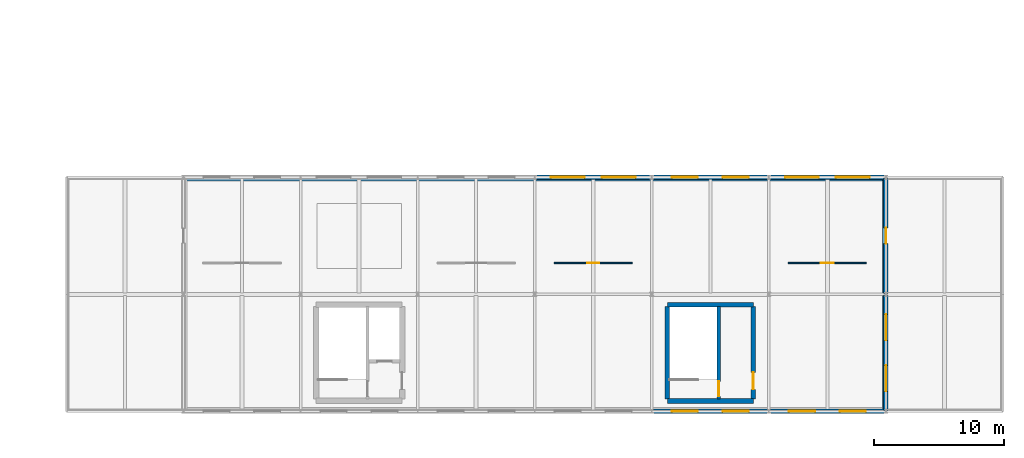
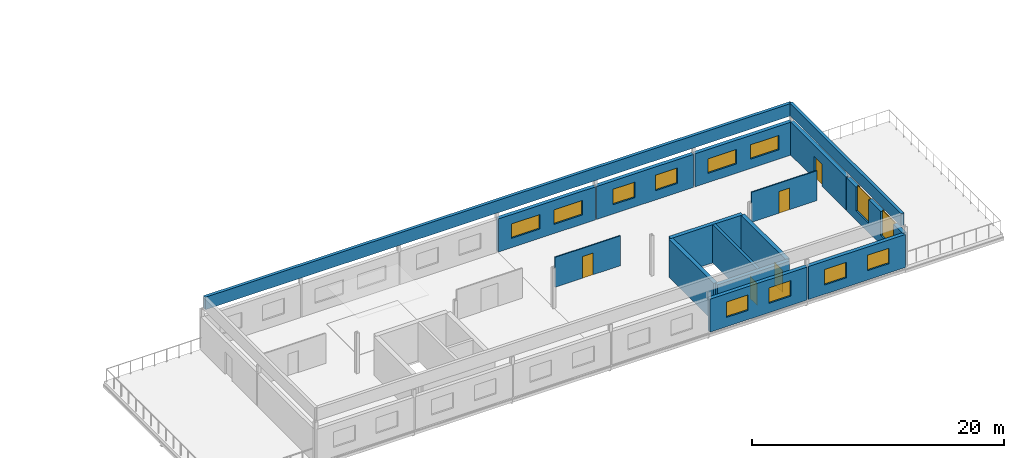
# One storey, part 13 of 18: 16 walls, 12 windows, 5 doors, 17 openings.
"""IFC4 building model written with IfcOpenShell, lengths in metres."""

from ifc_helpers import new_model, si_unit, direction, frame, frame_2d, origin, place, context, subcontext, project, spatial, rectangle, extrude, material, layer, layer_set, type_object, element, fill, save


model = new_model("IFC4")

# Units and contexts
model_context = context("Model", 3, precision=1e-05, world=origin(), true_north=direction((0.0, 1.0)))
body_context = subcontext(model_context, "Body", "Model", "MODEL_VIEW")
ifc_project = project(units=[si_unit("LENGTHUNIT", "METRE"), si_unit("AREAUNIT", "SQUARE_METRE"), si_unit("VOLUMEUNIT", "CUBIC_METRE"), si_unit("PLANEANGLEUNIT", "RADIAN"), si_unit("MASSUNIT", "GRAM", prefix="KILO")], contexts=[model_context])

# Site, building, storey
site_placement = place(None, origin())
site = spatial("IfcSite", under=ifc_project, at=site_placement, CompositionType="ELEMENT")
building_placement = place(site_placement, origin())
building = spatial("IfcBuilding", under=site, at=building_placement, Name="Kildeholm Park Wholesale Market", CompositionType="ELEMENT")
storey_placement = place(building_placement, frame((0.0, 0.0, 13.5)))
storey = spatial("IfcBuildingStorey", under=building, at=storey_placement, Name="L03", CompositionType="ELEMENT", Elevation=13.5)

# Wall, openings, windows
ifc_material_1 = material(Name="Precast concrete C40/50 architectural rainscreen wall", Category="concrete")
ifc_layer_1 = layer(ifc_material_1, 0.340087890625)
ifc_layer_set_1 = layer_set([ifc_layer_1], Name="Precast concrete C40/50 architectural rainscreen wall")
wall_type_1 = type_object("IfcWallType", Name="Exterior wall W-EX4 340 mm", PredefinedType="SOLIDWALL", material=ifc_layer_set_1)
wall_1_placement = place(storey_placement, frame((171.06005859375, 0.0, 0.0), z_axis=(0.0, 0.0, 1.0), x_axis=(1.0, 0.0, 0.0)))
wall_1 = element("IfcWall", 1, at=wall_1_placement, inside=storey, type_object=wall_type_1, Name="Exterior wall V5E-L03-S05.1 WL-0631", PredefinedType="SOLIDWALL", context=body_context, shape_type="SweptSolid", body=[
    extrude(rectangle(XDim=8.8798828125, YDim=0.340087890625, at=frame_2d((4.43994140625, 0.0))), origin(), (0.0, 0.0, 1.0), 3.199951171875),
])
opening_1_placement = place(wall_1_placement, frame((1.486083984375, 0.0, 0.89990234375)))
opening_1 = element("IfcOpeningElement", 2, at=opening_1_placement, cuts=wall_1, Name="Opening WN-12", PredefinedType="OPENING", context=body_context, shape_type="SweptSolid", body=[
    extrude(rectangle(XDim=2.0, YDim=1.5, at=frame_2d((1.0, 0.75))), frame((0.0, 0.179931640625, 0.0), z_axis=(0.0, -1.0, 0.0), x_axis=(1.0, 0.0, 0.0)), (0.0, 0.0, 1.0), 0.360107421875),
])
opening_2_placement = place(wall_1_placement, frame((5.39404296875, 0.0, 0.89990234375)))
opening_2 = element("IfcOpeningElement", 3, at=opening_2_placement, cuts=wall_1, Name="Opening WN-12", PredefinedType="OPENING", context=body_context, shape_type="SweptSolid", body=[
    extrude(rectangle(XDim=2.0, YDim=1.5, at=frame_2d((1.0, 0.75))), frame((0.0, 0.179931640625, 0.0), z_axis=(0.0, -1.0, 0.0), x_axis=(1.0, 0.0, 0.0)), (0.0, 0.0, 1.0), 0.360107421875),
])
ifc_material_2 = material(Name="Thermally broken aluminium and triple-glazed low-E glass", Category="aluminium")
window_type_1 = type_object("IfcWindowType", Name="Window WN-12 2000x1500", PartitioningType="DOUBLE_PANEL_VERTICAL", PredefinedType="WINDOW", material=ifc_material_2)
window_1_placement = place(opening_1_placement, origin())
window_1 = element("IfcWindow", 4, at=window_1_placement, inside=storey, type_object=window_type_1, Name="Window V5E-L03-S05.1.1 WIN-0448", OverallHeight=1.5, OverallWidth=2.0, PartitioningType="SINGLE_PANEL", PredefinedType="WINDOW", context=body_context, shape_type="SweptSolid", body=[
    extrude(rectangle(XDim=2.0, YDim=1.5, at=frame_2d((1.0, 0.75))), frame((0.0, 0.030029296875, 0.0), z_axis=(0.0, -1.0, 0.0), x_axis=(1.0, 0.0, 0.0)), (0.0, 0.0, 1.0), 0.06005859375),
])
fill(opening_1, window_1)
window_2_placement = place(opening_2_placement, origin())
window_2 = element("IfcWindow", 5, at=window_2_placement, inside=storey, type_object=window_type_1, Name="Window V5E-L03-S05.1.2 WIN-0449", OverallHeight=1.5, OverallWidth=2.0, PartitioningType="SINGLE_PANEL", PredefinedType="WINDOW", context=body_context, shape_type="SweptSolid", body=[
    extrude(rectangle(XDim=2.0, YDim=1.5, at=frame_2d((1.0, 0.75))), frame((0.0, 0.030029296875, 0.0), z_axis=(0.0, -1.0, 0.0), x_axis=(1.0, 0.0, 0.0)), (0.0, 0.0, 1.0), 0.06005859375),
])
fill(opening_2, window_2)

wall_2_placement = place(storey_placement, frame((180.06005859375, 0.0, 0.0), z_axis=(0.0, 0.0, 1.0), x_axis=(1.0, 0.0, 0.0)))
wall_2 = element("IfcWall", 6, at=wall_2_placement, inside=storey, type_object=wall_type_1, Name="Exterior wall V5E-L03-S06.1 WL-0632", PredefinedType="SOLIDWALL", context=body_context, shape_type="SweptSolid", body=[
    extrude(rectangle(XDim=8.8798828125, YDim=0.340087890625, at=frame_2d((4.43994140625, 0.0))), origin(), (0.0, 0.0, 1.0), 3.199951171875),
])
opening_3_placement = place(wall_2_placement, frame((1.486083984375, 0.0, 0.89990234375)))
opening_3 = element("IfcOpeningElement", 7, at=opening_3_placement, cuts=wall_2, Name="Opening WN-12", PredefinedType="OPENING", context=body_context, shape_type="SweptSolid", body=[
    extrude(rectangle(XDim=2.0, YDim=1.5, at=frame_2d((1.0, 0.75))), frame((0.0, 0.179931640625, 0.0), z_axis=(0.0, -1.0, 0.0), x_axis=(1.0, 0.0, 0.0)), (0.0, 0.0, 1.0), 0.360107421875),
])
opening_4_placement = place(wall_2_placement, frame((5.39404296875, 0.0, 0.89990234375)))
opening_4 = element("IfcOpeningElement", 8, at=opening_4_placement, cuts=wall_2, Name="Opening WN-12", PredefinedType="OPENING", context=body_context, shape_type="SweptSolid", body=[
    extrude(rectangle(XDim=2.0, YDim=1.5, at=frame_2d((1.0, 0.75))), frame((0.0, 0.179931640625, 0.0), z_axis=(0.0, -1.0, 0.0), x_axis=(1.0, 0.0, 0.0)), (0.0, 0.0, 1.0), 0.360107421875),
])
window_3_placement = place(opening_3_placement, origin())
window_3 = element("IfcWindow", 9, at=window_3_placement, inside=storey, type_object=window_type_1, Name="Window V5E-L03-S06.1.1 WIN-0450", OverallHeight=1.5, OverallWidth=2.0, PartitioningType="SINGLE_PANEL", PredefinedType="WINDOW", context=body_context, shape_type="SweptSolid", body=[
    extrude(rectangle(XDim=2.0, YDim=1.5, at=frame_2d((1.0, 0.75))), frame((0.0, 0.030029296875, 0.0), z_axis=(0.0, -1.0, 0.0), x_axis=(1.0, 0.0, 0.0)), (0.0, 0.0, 1.0), 0.06005859375),
])
fill(opening_3, window_3)
window_4_placement = place(opening_4_placement, origin())
window_4 = element("IfcWindow", 10, at=window_4_placement, inside=storey, type_object=window_type_1, Name="Window V5E-L03-S06.1.2 WIN-0451", OverallHeight=1.5, OverallWidth=2.0, PartitioningType="SINGLE_PANEL", PredefinedType="WINDOW", context=body_context, shape_type="SweptSolid", body=[
    extrude(rectangle(XDim=2.0, YDim=1.5, at=frame_2d((1.0, 0.75))), frame((0.0, 0.030029296875, 0.0), z_axis=(0.0, -1.0, 0.0), x_axis=(1.0, 0.0, 0.0)), (0.0, 0.0, 1.0), 0.06005859375),
])
fill(opening_4, window_4)

wall_3_placement = place(storey_placement, frame((162.06005859375, 18.0, 0.0), z_axis=(0.0, 0.0, 1.0), x_axis=(1.0, 0.0, 0.0)))
wall_3 = element("IfcWall", 11, at=wall_3_placement, inside=storey, type_object=wall_type_1, Name="Exterior wall V5E-L03-N.4 WL-0636", PredefinedType="SOLIDWALL", context=body_context, shape_type="SweptSolid", body=[
    extrude(rectangle(XDim=8.8798828125, YDim=0.340087890625, at=frame_2d((4.43994140625, 0.0))), origin(), (0.0, 0.0, 1.0), 3.199951171875),
])
opening_5_placement = place(wall_3_placement, frame((1.18603515625, 0.0, 0.89990234375)))
opening_5 = element("IfcOpeningElement", 12, at=opening_5_placement, cuts=wall_3, Name="Opening WN-13", PredefinedType="OPENING", context=body_context, shape_type="SweptSolid", body=[
    extrude(rectangle(XDim=2.60009765625, YDim=1.39990234375, at=frame_2d((1.300048828125, 0.699951171875))), frame((0.0, 0.179931640625, 0.0), z_axis=(0.0, -1.0, 0.0), x_axis=(1.0, 0.0, 0.0)), (0.0, 0.0, 1.0), 0.360107421875),
])
opening_6_placement = place(wall_3_placement, frame((5.093994140625, 0.0, 0.89990234375)))
opening_6 = element("IfcOpeningElement", 13, at=opening_6_placement, cuts=wall_3, Name="Opening WN-13", PredefinedType="OPENING", context=body_context, shape_type="SweptSolid", body=[
    extrude(rectangle(XDim=2.60009765625, YDim=1.39990234375, at=frame_2d((1.300048828125, 0.699951171875))), frame((0.0, 0.179931640625, 0.0), z_axis=(0.0, -1.0, 0.0), x_axis=(1.0, 0.0, 0.0)), (0.0, 0.0, 1.0), 0.360107421875),
])
window_type_2 = type_object("IfcWindowType", Name="Window WN-13 2600x1400", PartitioningType="TRIPLE_PANEL_VERTICAL", PredefinedType="WINDOW", material=ifc_material_2)
window_5_placement = place(opening_5_placement, origin())
window_5 = element("IfcWindow", 14, at=window_5_placement, inside=storey, type_object=window_type_2, Name="Window V5E-L03-N.4.1 WIN-0458", OverallHeight=1.39990234375, OverallWidth=2.60009765625, PartitioningType="SINGLE_PANEL", PredefinedType="WINDOW", context=body_context, shape_type="SweptSolid", body=[
    extrude(rectangle(XDim=2.60009765625, YDim=1.39990234375, at=frame_2d((1.300048828125, 0.699951171875))), frame((0.0, 0.030029296875, 0.0), z_axis=(0.0, -1.0, 0.0), x_axis=(1.0, 0.0, 0.0)), (0.0, 0.0, 1.0), 0.06005859375),
])
fill(opening_5, window_5)
window_6_placement = place(opening_6_placement, origin())
window_6 = element("IfcWindow", 15, at=window_6_placement, inside=storey, type_object=window_type_2, Name="Window V5E-L03-N.4.2 WIN-0459", OverallHeight=1.39990234375, OverallWidth=2.60009765625, PartitioningType="SINGLE_PANEL", PredefinedType="WINDOW", context=body_context, shape_type="SweptSolid", body=[
    extrude(rectangle(XDim=2.60009765625, YDim=1.39990234375, at=frame_2d((1.300048828125, 0.699951171875))), frame((0.0, 0.030029296875, 0.0), z_axis=(0.0, -1.0, 0.0), x_axis=(1.0, 0.0, 0.0)), (0.0, 0.0, 1.0), 0.06005859375),
])
fill(opening_6, window_6)

wall_4_placement = place(storey_placement, frame((171.06005859375, 18.0, 0.0), z_axis=(0.0, 0.0, 1.0), x_axis=(1.0, 0.0, 0.0)))
wall_4 = element("IfcWall", 16, at=wall_4_placement, inside=storey, type_object=wall_type_1, Name="Exterior wall V5E-L03-N.5 WL-0637", PredefinedType="SOLIDWALL", context=body_context, shape_type="SweptSolid", body=[
    extrude(rectangle(XDim=8.8798828125, YDim=0.340087890625, at=frame_2d((4.43994140625, 0.0))), origin(), (0.0, 0.0, 1.0), 3.199951171875),
])
opening_7_placement = place(wall_4_placement, frame((1.486083984375, 0.0, 0.89990234375)))
opening_7 = element("IfcOpeningElement", 17, at=opening_7_placement, cuts=wall_4, Name="Opening WN-12", PredefinedType="OPENING", context=body_context, shape_type="SweptSolid", body=[
    extrude(rectangle(XDim=2.0, YDim=1.5, at=frame_2d((1.0, 0.75))), frame((0.0, 0.179931640625, 0.0), z_axis=(0.0, -1.0, 0.0), x_axis=(1.0, 0.0, 0.0)), (0.0, 0.0, 1.0), 0.360107421875),
])
opening_8_placement = place(wall_4_placement, frame((5.39404296875, 0.0, 0.89990234375)))
opening_8 = element("IfcOpeningElement", 18, at=opening_8_placement, cuts=wall_4, Name="Opening WN-12", PredefinedType="OPENING", context=body_context, shape_type="SweptSolid", body=[
    extrude(rectangle(XDim=2.0, YDim=1.5, at=frame_2d((1.0, 0.75))), frame((0.0, 0.179931640625, 0.0), z_axis=(0.0, -1.0, 0.0), x_axis=(1.0, 0.0, 0.0)), (0.0, 0.0, 1.0), 0.360107421875),
])
window_7_placement = place(opening_7_placement, origin())
window_7 = element("IfcWindow", 19, at=window_7_placement, inside=storey, type_object=window_type_1, Name="Window V5E-L03-N.5.1 WIN-0460", OverallHeight=1.5, OverallWidth=2.0, PartitioningType="SINGLE_PANEL", PredefinedType="WINDOW", context=body_context, shape_type="SweptSolid", body=[
    extrude(rectangle(XDim=2.0, YDim=1.5, at=frame_2d((1.0, 0.75))), frame((0.0, 0.030029296875, 0.0), z_axis=(0.0, -1.0, 0.0), x_axis=(1.0, 0.0, 0.0)), (0.0, 0.0, 1.0), 0.06005859375),
])
fill(opening_7, window_7)
window_8_placement = place(opening_8_placement, origin())
window_8 = element("IfcWindow", 20, at=window_8_placement, inside=storey, type_object=window_type_1, Name="Window V5E-L03-N.5.2 WIN-0461", OverallHeight=1.5, OverallWidth=2.0, PartitioningType="SINGLE_PANEL", PredefinedType="WINDOW", context=body_context, shape_type="SweptSolid", body=[
    extrude(rectangle(XDim=2.0, YDim=1.5, at=frame_2d((1.0, 0.75))), frame((0.0, 0.030029296875, 0.0), z_axis=(0.0, -1.0, 0.0), x_axis=(1.0, 0.0, 0.0)), (0.0, 0.0, 1.0), 0.06005859375),
])
fill(opening_8, window_8)

wall_5_placement = place(storey_placement, frame((180.06005859375, 18.0, 0.0), z_axis=(0.0, 0.0, 1.0), x_axis=(1.0, 0.0, 0.0)))
wall_5 = element("IfcWall", 21, at=wall_5_placement, inside=storey, type_object=wall_type_1, Name="Exterior wall V5E-L03-N.6 WL-0638", PredefinedType="SOLIDWALL", context=body_context, shape_type="SweptSolid", body=[
    extrude(rectangle(XDim=8.8798828125, YDim=0.340087890625, at=frame_2d((4.43994140625, 0.0))), origin(), (0.0, 0.0, 1.0), 3.199951171875),
])
opening_9_placement = place(wall_5_placement, frame((1.18603515625, 0.0, 0.89990234375)))
opening_9 = element("IfcOpeningElement", 22, at=opening_9_placement, cuts=wall_5, Name="Opening WN-13", PredefinedType="OPENING", context=body_context, shape_type="SweptSolid", body=[
    extrude(rectangle(XDim=2.60009765625, YDim=1.39990234375, at=frame_2d((1.300048828125, 0.699951171875))), frame((0.0, 0.179931640625, 0.0), z_axis=(0.0, -1.0, 0.0), x_axis=(1.0, 0.0, 0.0)), (0.0, 0.0, 1.0), 0.360107421875),
])
opening_10_placement = place(wall_5_placement, frame((5.093994140625, 0.0, 0.89990234375)))
opening_10 = element("IfcOpeningElement", 23, at=opening_10_placement, cuts=wall_5, Name="Opening WN-13", PredefinedType="OPENING", context=body_context, shape_type="SweptSolid", body=[
    extrude(rectangle(XDim=2.60009765625, YDim=1.39990234375, at=frame_2d((1.300048828125, 0.699951171875))), frame((0.0, 0.179931640625, 0.0), z_axis=(0.0, -1.0, 0.0), x_axis=(1.0, 0.0, 0.0)), (0.0, 0.0, 1.0), 0.360107421875),
])
window_9_placement = place(opening_9_placement, origin())
window_9 = element("IfcWindow", 24, at=window_9_placement, inside=storey, type_object=window_type_2, Name="Window V5E-L03-N.6.1 WIN-0462", OverallHeight=1.39990234375, OverallWidth=2.60009765625, PartitioningType="SINGLE_PANEL", PredefinedType="WINDOW", context=body_context, shape_type="SweptSolid", body=[
    extrude(rectangle(XDim=2.60009765625, YDim=1.39990234375, at=frame_2d((1.300048828125, 0.699951171875))), frame((0.0, 0.030029296875, 0.0), z_axis=(0.0, -1.0, 0.0), x_axis=(1.0, 0.0, 0.0)), (0.0, 0.0, 1.0), 0.06005859375),
])
fill(opening_9, window_9)
window_10_placement = place(opening_10_placement, origin())
window_10 = element("IfcWindow", 25, at=window_10_placement, inside=storey, type_object=window_type_2, Name="Window V5E-L03-N.6.2 WIN-0463", OverallHeight=1.39990234375, OverallWidth=2.60009765625, PartitioningType="SINGLE_PANEL", PredefinedType="WINDOW", context=body_context, shape_type="SweptSolid", body=[
    extrude(rectangle(XDim=2.60009765625, YDim=1.39990234375, at=frame_2d((1.300048828125, 0.699951171875))), frame((0.0, 0.030029296875, 0.0), z_axis=(0.0, -1.0, 0.0), x_axis=(1.0, 0.0, 0.0)), (0.0, 0.0, 1.0), 0.06005859375),
])
fill(opening_10, window_10)

wall_6_placement = place(storey_placement, frame((189.0, 0.06005859375, 0.0), z_axis=(0.0, 0.0, 1.0), x_axis=(0.0, 1.0, 0.0)))
wall_6 = element("IfcWall", 26, at=wall_6_placement, inside=storey, type_object=wall_type_1, Name="Exterior wall V5E-L03-E.1 WL-0641", PredefinedType="SOLIDWALL", context=body_context, shape_type="SweptSolid", body=[
    extrude(rectangle(XDim=8.8798828125, YDim=0.340087890625, at=frame_2d((4.43994140625, 0.0))), origin(), (0.0, 0.0, 1.0), 3.199951171875),
])
opening_11_placement = place(wall_6_placement, frame((1.486083984375, 0.0, 0.89990234375)))
opening_11 = element("IfcOpeningElement", 27, at=opening_11_placement, cuts=wall_6, Name="Opening WN-16", PredefinedType="OPENING", context=body_context, shape_type="SweptSolid", body=[
    extrude(rectangle(XDim=2.0, YDim=2.39990234375, at=frame_2d((1.0, 1.199951171875))), frame((0.0, 0.179931640625, 0.0), z_axis=(0.0, -1.0, 0.0), x_axis=(1.0, 0.0, 0.0)), (0.0, 0.0, 1.0), 0.360107421875),
])
opening_12_placement = place(wall_6_placement, frame((5.39404296875, 0.0, 0.89990234375)))
opening_12 = element("IfcOpeningElement", 28, at=opening_12_placement, cuts=wall_6, Name="Opening WN-16", PredefinedType="OPENING", context=body_context, shape_type="SweptSolid", body=[
    extrude(rectangle(XDim=2.0, YDim=2.39990234375, at=frame_2d((1.0, 1.199951171875))), frame((0.0, 0.179931640625, 0.0), z_axis=(0.0, -1.0, 0.0), x_axis=(1.0, 0.0, 0.0)), (0.0, 0.0, 1.0), 0.360107421875),
])
window_type_3 = type_object("IfcWindowType", Name="Window WN-16 2000x2400", PartitioningType="TRIPLE_PANEL_VERTICAL", PredefinedType="WINDOW", material=ifc_material_2)
window_11_placement = place(opening_11_placement, origin())
window_11 = element("IfcWindow", 29, at=window_11_placement, inside=storey, type_object=window_type_3, Name="Window V5E-L03-E.1.1 WIN-0464", OverallHeight=2.39990234375, OverallWidth=2.0, PartitioningType="SINGLE_PANEL", PredefinedType="WINDOW", context=body_context, shape_type="SweptSolid", body=[
    extrude(rectangle(XDim=2.0, YDim=2.39990234375, at=frame_2d((1.0, 1.199951171875))), frame((0.0, 0.030029296875, 0.0), z_axis=(0.0, -1.0, 0.0), x_axis=(1.0, 0.0, 0.0)), (0.0, 0.0, 1.0), 0.06005859375),
])
fill(opening_11, window_11)
window_12_placement = place(opening_12_placement, origin())
window_12 = element("IfcWindow", 30, at=window_12_placement, inside=storey, type_object=window_type_3, Name="Window V5E-L03-E.1.2 WIN-0465", OverallHeight=2.39990234375, OverallWidth=2.0, PartitioningType="SINGLE_PANEL", PredefinedType="WINDOW", context=body_context, shape_type="SweptSolid", body=[
    extrude(rectangle(XDim=2.0, YDim=2.39990234375, at=frame_2d((1.0, 1.199951171875))), frame((0.0, 0.030029296875, 0.0), z_axis=(0.0, -1.0, 0.0), x_axis=(1.0, 0.0, 0.0)), (0.0, 0.0, 1.0), 0.06005859375),
])
fill(opening_12, window_12)

# Wall, opening, door
wall_7_placement = place(storey_placement, frame((189.0, 9.06005859375, 0.0), z_axis=(0.0, 0.0, 1.0), x_axis=(0.0, 1.0, 0.0)))
wall_7 = element("IfcWall", 31, at=wall_7_placement, inside=storey, type_object=wall_type_1, Name="Exterior wall V5E-L03-E.2 WL-0642", PredefinedType="SOLIDWALL", context=body_context, shape_type="SweptSolid", body=[
    extrude(rectangle(XDim=8.8798828125, YDim=0.340087890625, at=frame_2d((4.43994140625, 0.0))), origin(), (0.0, 0.0, 1.0), 3.199951171875),
])
opening_13_placement = place(wall_7_placement, frame((3.840087890625, 0.0, 0.0)))
opening_13 = element("IfcOpeningElement", 32, at=opening_13_placement, cuts=wall_7, Name="Opening D-EX11", PredefinedType="OPENING", context=body_context, shape_type="SweptSolid", body=[
    extrude(rectangle(XDim=1.199951171875, YDim=2.14990234375, at=frame_2d((0.60009765625, 1.074951171875))), frame((0.0, 0.179931640625, 0.0), z_axis=(0.0, -1.0, 0.0), x_axis=(1.0, 0.0, 0.0)), (0.0, 0.0, 1.0), 0.360107421875),
])
ifc_material_3 = material(Name="Anodised aluminium terrace leaf door", Category="aluminium")
door_type_1 = type_object("IfcDoorType", Name="Exterior door D-EX11 1200x2150", OperationType="NOTDEFINED", PredefinedType="DOOR", material=ifc_material_3)
door_1_placement = place(opening_13_placement, frame((1.199951171875, 0.0, 0.0), z_axis=(0.0, 0.0, 1.0), x_axis=(-1.0, 0.0, 0.0)))
door_1 = element("IfcDoor", 33, at=door_1_placement, inside=storey, type_object=door_type_1, Name="Door V5E-L03-E.2 DR-0071 WL-0642", OperationType="SINGLE_SWING_LEFT", OverallHeight=2.14990234375, OverallWidth=1.199951171875, PredefinedType="DOOR", context=body_context, shape_type="SweptSolid", body=[
    extrude(rectangle(XDim=1.199951171875, YDim=2.14990234375, at=frame_2d((0.60009765625, 1.074951171875))), frame((0.0, 0.02490234375, 0.0), z_axis=(0.0, -1.0, 0.0), x_axis=(1.0, 0.0, 0.0)), (0.0, 0.0, 1.0), 0.050048828125),
])
fill(opening_13, door_1)

# Walls
ifc_material_4 = material(Name="Red Danish clinker brick masonry parapet", Category="masonry")
ifc_layer_2 = layer(ifc_material_4, 0.280029296875)
ifc_layer_set_2 = layer_set([ifc_layer_2], Name="Red Danish clinker brick masonry parapet")
wall_type_2 = type_object("IfcWallType", Name="Exterior wall W-PR2 280 mm", PredefinedType="PARAPET", material=ifc_layer_set_2)
wall_8_placement = place(storey_placement, frame((135.139892578125, 17.860107421875, 3.89990234375), z_axis=(0.0, 0.0, 1.0), x_axis=(1.0, 0.0, 0.0)))
element("IfcWall", 34, at=wall_8_placement, inside=storey, type_object=wall_type_2, Name="V5E roof parapet N WL-0644", PredefinedType="PARAPET", context=body_context, shape_type="SweptSolid", body=[
    extrude(rectangle(XDim=53.72021484375, YDim=0.280029296875, at=frame_2d((26.860107421875, 0.0))), origin(), (0.0, 0.0, 1.0), 1.2001953125),
])
wall_9_placement = place(storey_placement, frame((188.860107421875, 0.139892578125, 3.89990234375), z_axis=(0.0, 0.0, 1.0), x_axis=(0.0, 1.0, 0.0)))
element("IfcWall", 35, at=wall_9_placement, inside=storey, type_object=wall_type_2, Name="V5E roof parapet E WL-0646", PredefinedType="PARAPET", context=body_context, shape_type="SweptSolid", body=[
    extrude(rectangle(XDim=17.72021484375, YDim=0.280029296875, at=frame_2d((8.860107421875, 0.0))), origin(), (0.0, 0.0, 1.0), 1.2001953125),
])

# Wall, opening, door
ifc_material_5 = material(Name="Galvanized steel stud and gypsum acoustic partition", Category="steel")
ifc_layer_3 = layer(ifc_material_5, 0.10009765625)
ifc_layer_set_3 = layer_set([ifc_layer_3], Name="Galvanized steel stud and gypsum acoustic partition")
wall_type_3 = type_object("IfcWallType", Name="Partition W-PT01 100 mm", PredefinedType="PARTITIONING", material=ifc_layer_set_3)
wall_10_placement = place(storey_placement, frame((163.5, 11.39990234375, 0.0), z_axis=(0.0, 0.0, 1.0), x_axis=(1.0, 0.0, 0.0)))
wall_10 = element("IfcWall", 36, at=wall_10_placement, inside=storey, type_object=wall_type_3, Name="Interior partition W-V5E-L03-C4 WL-1053", PredefinedType="PARTITIONING", context=body_context, shape_type="SweptSolid", body=[
    extrude(rectangle(XDim=6.0, YDim=0.10009765625, at=frame_2d((3.0, 0.0))), origin(), (0.0, 0.0, 1.0), 2.89990234375),
])
opening_14_placement = place(wall_10_placement, frame((2.52490234375, 0.0, 0.0)))
opening_14 = element("IfcOpeningElement", 37, at=opening_14_placement, cuts=wall_10, Name="Opening D-IN01", PredefinedType="OPENING", context=body_context, shape_type="SweptSolid", body=[
    extrude(rectangle(XDim=0.949951171875, YDim=2.10009765625, at=frame_2d((0.47509765625, 1.050048828125))), frame((0.0, 0.06005859375, 0.0), z_axis=(0.0, -1.0, 0.0), x_axis=(1.0, 0.0, 0.0)), (0.0, 0.0, 1.0), 0.1201171875),
])
ifc_material_6 = material(Name="Solid-core hardwood office doorset", Category="wood")
door_type_2 = type_object("IfcDoorType", Name="Interior door D-IN01 950x2100", OperationType="NOTDEFINED", PredefinedType="DOOR", material=ifc_material_6)
door_2_placement = place(opening_14_placement, origin())
door_2 = element("IfcDoor", 38, at=door_2_placement, inside=storey, type_object=door_type_2, Name="Interior door V5E-L03-C4 DR-0328 WL-1053", OperationType="SINGLE_SWING_RIGHT", OverallHeight=2.10009765625, OverallWidth=0.949951171875, PredefinedType="DOOR", context=body_context, shape_type="SweptSolid", body=[
    extrude(rectangle(XDim=0.949951171875, YDim=2.10009765625, at=frame_2d((0.47509765625, 1.050048828125))), frame((0.0, 0.02490234375, 0.0), z_axis=(0.0, -1.0, 0.0), x_axis=(1.0, 0.0, 0.0)), (0.0, 0.0, 1.0), 0.050048828125),
])
fill(opening_14, door_2)

wall_11_placement = place(storey_placement, frame((181.5, 11.39990234375, 0.0), z_axis=(0.0, 0.0, 1.0), x_axis=(1.0, 0.0, 0.0)))
wall_11 = element("IfcWall", 39, at=wall_11_placement, inside=storey, type_object=wall_type_3, Name="Interior partition W-V5E-L03-C6 WL-1054", PredefinedType="PARTITIONING", context=body_context, shape_type="SweptSolid", body=[
    extrude(rectangle(XDim=6.0, YDim=0.10009765625, at=frame_2d((3.0, 0.0))), origin(), (0.0, 0.0, 1.0), 2.89990234375),
])
opening_15_placement = place(wall_11_placement, frame((2.5, 0.0, 0.0)))
opening_15 = element("IfcOpeningElement", 40, at=opening_15_placement, cuts=wall_11, Name="Opening D-IN02", PredefinedType="OPENING", context=body_context, shape_type="SweptSolid", body=[
    extrude(rectangle(XDim=1.0, YDim=2.10009765625, at=frame_2d((0.5, 1.050048828125))), frame((0.0, 0.06005859375, 0.0), z_axis=(0.0, -1.0, 0.0), x_axis=(1.0, 0.0, 0.0)), (0.0, 0.0, 1.0), 0.1201171875),
])
ifc_material_7 = material(Name="Hygienic laminate accessible WC doorset")
door_type_3 = type_object("IfcDoorType", Name="Interior door D-IN02 1000x2100", OperationType="NOTDEFINED", PredefinedType="DOOR", material=ifc_material_7)
door_3_placement = place(opening_15_placement, origin())
door_3 = element("IfcDoor", 41, at=door_3_placement, inside=storey, type_object=door_type_3, Name="Interior door V5E-L03-C6 DR-0329 WL-1054", OperationType="SINGLE_SWING_LEFT", OverallHeight=2.10009765625, OverallWidth=1.0, PredefinedType="DOOR", context=body_context, shape_type="SweptSolid", body=[
    extrude(rectangle(XDim=1.0, YDim=2.10009765625, at=frame_2d((0.5, 1.050048828125))), frame((0.0, 0.02490234375, 0.0), z_axis=(0.0, -1.0, 0.0), x_axis=(1.0, 0.0, 0.0)), (0.0, 0.0, 1.0), 0.050048828125),
])
fill(opening_15, door_3)

ifc_material_8 = material(Name="Concrete C40/50", Category="concrete")
ifc_layer_4 = layer(ifc_material_8, 0.25)
ifc_layer_set_4 = layer_set([ifc_layer_4], Name="Concrete C40/50")
wall_type_4 = type_object("IfcWallType", Name="Shear wall W-SH2 250 mm", PredefinedType="SHEAR", material=ifc_layer_set_4)
wall_12_placement = place(storey_placement, frame((176.14990234375, 0.949951171875, 0.0), z_axis=(0.0, 0.0, 1.0), x_axis=(0.0, 1.0, 0.0)))
wall_12 = element("IfcWall", 42, at=wall_12_placement, inside=storey, type_object=wall_type_4, Name="Core C07 shaft wall L03 WL-0791", PredefinedType="SHEAR", context=body_context, shape_type="SweptSolid", body=[
    extrude(rectangle(XDim=7.10009765625, YDim=0.25, at=frame_2d((3.550048828125, 0.0))), origin(), (0.0, 0.0, 1.0), 3.699951171875),
])
opening_16_placement = place(wall_12_placement, frame((0.199951171875, 0.0, 0.0)))
opening_16 = element("IfcOpeningElement", 43, at=opening_16_placement, cuts=wall_12, Name="Opening D-CR01", PredefinedType="OPENING", context=body_context, shape_type="SweptSolid", body=[
    extrude(rectangle(XDim=1.14990234375, YDim=2.14990234375, at=frame_2d((0.574951171875, 1.074951171875))), frame((0.0, 0.135009765625, 0.0), z_axis=(0.0, -1.0, 0.0), x_axis=(1.0, 0.0, 0.0)), (0.0, 0.0, 1.0), 0.27001953125),
])
ifc_material_9 = material(Name="Painted steel fire escape doorset", Category="steel")
door_type_4 = type_object("IfcDoorType", Name="Interior door D-CR01 1150x2150", OperationType="NOTDEFINED", PredefinedType="DOOR", material=ifc_material_9)
door_4_placement = place(opening_16_placement, frame((1.14990234375, 0.0, 0.0), z_axis=(0.0, 0.0, 1.0), x_axis=(-1.0, 0.0, 0.0)))
door_4 = element("IfcDoor", 44, at=door_4_placement, inside=storey, type_object=door_type_4, Name="Core C07 stair fire door L03 DR-0145 WL-0791", OperationType="SINGLE_SWING_RIGHT", OverallHeight=2.14990234375, OverallWidth=1.14990234375, PredefinedType="DOOR", context=body_context, shape_type="SweptSolid", body=[
    extrude(rectangle(XDim=1.14990234375, YDim=2.14990234375, at=frame_2d((0.574951171875, 1.074951171875))), frame((0.0, 0.02490234375, 0.0), z_axis=(0.0, -1.0, 0.0), x_axis=(1.0, 0.0, 0.0)), (0.0, 0.0, 1.0), 0.050048828125),
])
fill(opening_16, door_4)

# Walls
ifc_layer_5 = layer(ifc_material_8, 0.35009765625)
ifc_layer_set_5 = layer_set([ifc_layer_5], Name="Concrete C40/50")
wall_type_5 = type_object("IfcWallType", Name="Shear wall W-SH3 350 mm", PredefinedType="SHEAR", material=ifc_layer_set_5)
for number, where, z_axis, x_axis, name in (
    (45, (172.199951171875, 0.800048828125, 0.0), (0.0, 0.0, 1.0), (1.0, 0.0, 0.0), "Core C07 south shear wall L03 WL-0787"),
    (46, (172.199951171875, 8.199951171875, 0.0), (0.0, 0.0, 1.0), (1.0, 0.0, 0.0), "Core C07 north shear wall L03 WL-0788"),
):
    element("IfcWall", number, at=place(storey_placement, frame(where, z_axis=z_axis, x_axis=x_axis)), inside=storey, type_object=wall_type_5, Name=name, PredefinedType="SHEAR", context=body_context, shape_type="SweptSolid", body=[
        extrude(rectangle(XDim=6.60009765625, YDim=0.35009765625, at=frame_2d((3.300048828125, 0.0))), origin(), (0.0, 0.0, 1.0), 3.699951171875),
    ])
wall_13_placement = place(storey_placement, frame((172.199951171875, 0.949951171875, 0.0), z_axis=(0.0, 0.0, 1.0), x_axis=(0.0, 1.0, 0.0)))
element("IfcWall", 47, at=wall_13_placement, inside=storey, type_object=wall_type_5, Name="Core C07 west shear wall L03 WL-0789", PredefinedType="SHEAR", context=body_context, shape_type="SweptSolid", body=[
    extrude(rectangle(XDim=7.10009765625, YDim=0.35009765625, at=frame_2d((3.550048828125, 0.0))), origin(), (0.0, 0.0, 1.0), 3.699951171875),
])

# Wall, opening, door
wall_14_placement = place(storey_placement, frame((178.800048828125, 0.949951171875, 0.0), z_axis=(0.0, 0.0, 1.0), x_axis=(0.0, 1.0, 0.0)))
wall_14 = element("IfcWall", 48, at=wall_14_placement, inside=storey, type_object=wall_type_5, Name="Core C07 east shear wall L03 WL-0790", PredefinedType="SHEAR", context=body_context, shape_type="SweptSolid", body=[
    extrude(rectangle(XDim=7.10009765625, YDim=0.35009765625, at=frame_2d((3.550048828125, 0.0))), origin(), (0.0, 0.0, 1.0), 3.699951171875),
])
opening_17_placement = place(wall_14_placement, frame((0.75, 0.0, 0.0)))
opening_17 = element("IfcOpeningElement", 49, at=opening_17_placement, cuts=wall_14, Name="Opening D-CR02", PredefinedType="OPENING", context=body_context, shape_type="SweptSolid", body=[
    extrude(rectangle(XDim=1.300048828125, YDim=2.14990234375, at=frame_2d((0.64990234375, 1.074951171875))), frame((0.0, 0.18505859375, 0.0), z_axis=(0.0, -1.0, 0.0), x_axis=(1.0, 0.0, 0.0)), (0.0, 0.0, 1.0), 0.3701171875),
])
ifc_material_10 = material(Name="Painted steel core lobby double-leaf doorset", Category="steel")
door_type_5 = type_object("IfcDoorType", Name="Interior door D-CR02 1300x2150", OperationType="NOTDEFINED", PredefinedType="DOOR", material=ifc_material_10)
door_5_placement = place(opening_17_placement, frame((1.300048828125, 0.0, 0.0), z_axis=(0.0, 0.0, 1.0), x_axis=(-1.0, 0.0, 0.0)))
door_5 = element("IfcDoor", 50, at=door_5_placement, inside=storey, type_object=door_type_5, Name="Core C07 lobby entrance door L03 DR-0144 WL-0790", OperationType="DOUBLE_DOOR_SINGLE_SWING", OverallHeight=2.14990234375, OverallWidth=1.300048828125, PredefinedType="DOOR", context=body_context, shape_type="SweptSolid", body=[
    extrude(rectangle(XDim=1.300048828125, YDim=2.14990234375, at=frame_2d((0.64990234375, 1.074951171875))), frame((0.0, 0.02490234375, 0.0), z_axis=(0.0, -1.0, 0.0), x_axis=(1.0, 0.0, 0.0)), (0.0, 0.0, 1.0), 0.050048828125),
])
fill(opening_17, door_5)

save(model, "model.ifc")
